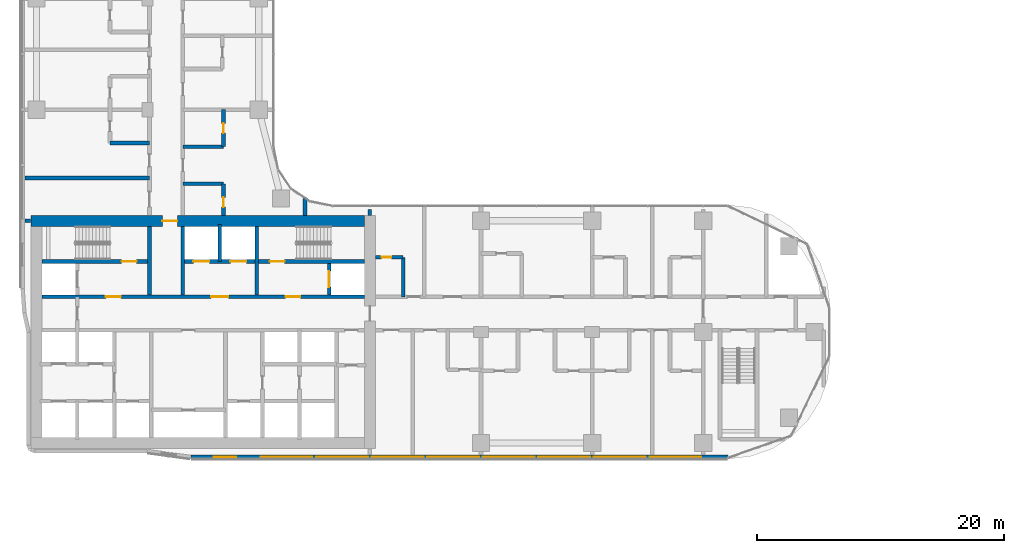
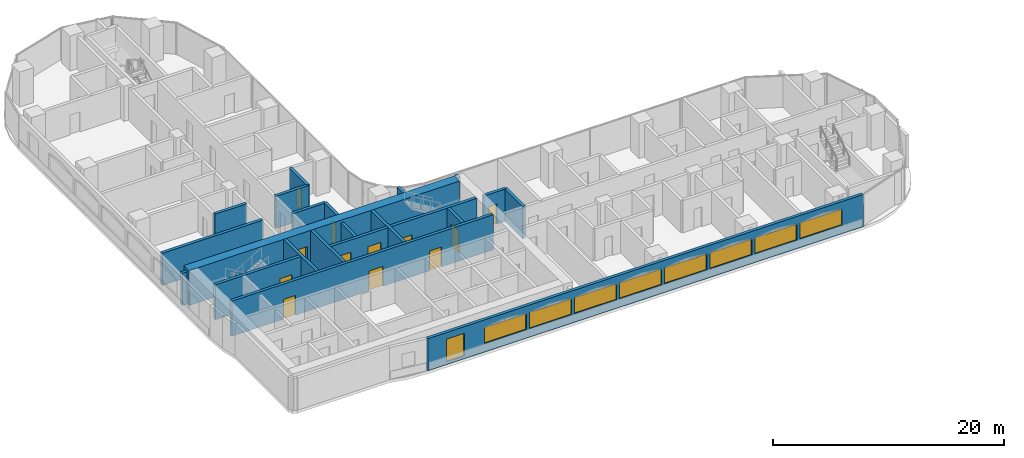
# One storey, part 19 of 36: 21 walls, 12 doors, 9 windows, 21 openings.
"""IFC4 building model written with IfcOpenShell, lengths in metres."""

from ifc_helpers import new_model, si_unit, direction, frame, frame_2d, origin, place, context, subcontext, project, spatial, rectangle, extrude, material, layer, layer_set, type_object, element, fill, save


model = new_model("IFC4")

# Units and contexts
model_context = context("Model", 3, precision=1e-05, world=origin(), true_north=direction((0.0, 1.0)))
body_context = subcontext(model_context, "Body", "Model", "MODEL_VIEW")
ifc_project = project(units=[si_unit("LENGTHUNIT", "METRE"), si_unit("AREAUNIT", "SQUARE_METRE"), si_unit("VOLUMEUNIT", "CUBIC_METRE"), si_unit("PLANEANGLEUNIT", "RADIAN"), si_unit("MASSUNIT", "GRAM", prefix="KILO")], contexts=[model_context])

# Site, building, storey
site_placement = place(None, origin())
site = spatial("IfcSite", under=ifc_project, at=site_placement, CompositionType="ELEMENT")
building_placement = place(site_placement, origin())
building = spatial("IfcBuilding", under=site, at=building_placement, Name="Ogive Portal Towers", CompositionType="ELEMENT")
storey_placement = place(building_placement, frame((0.0, 0.0, 48.300048828125)))
storey = spatial("IfcBuildingStorey", under=building, at=storey_placement, Name="L10", CompositionType="ELEMENT", Elevation=48.300048828125)

# Wall, openings, doors
ifc_material_1 = material(Name="Concrete C60/75", Category="concrete")
ifc_layer_1 = layer(ifc_material_1, 0.300048828125)
ifc_layer_set_1 = layer_set([ifc_layer_1], Name="CORE WALL 300 C60")
wall_type_1 = type_object("IfcWallType", Name="CORE WALL 300 C60", PredefinedType="SHEAR", material=ifc_layer_set_1)
wall_1_placement = place(storey_placement, frame((31.949951171875, 33.35009765625, 0.0), z_axis=(0.0, 0.0, 1.0), x_axis=(1.0, 0.0, 0.0)))
wall_1 = element("IfcWall", 1, at=wall_1_placement, inside=storey, type_object=wall_type_1, Name="Core wall Y2 L10", PredefinedType="SHEAR", context=body_context, shape_type="SweptSolid", body=[
    extrude(rectangle(XDim=26.10009765625, YDim=0.300048828125, at=frame_2d((13.050048828125, 0.0))), origin(), (0.0, 0.0, 1.0), 3.699951171875),
])
opening_1_placement = place(wall_1_placement, frame((13.699951171875, 0.0, 0.0)))
opening_1 = element("IfcOpeningElement", 2, at=opening_1_placement, cuts=wall_1, Name="Opening D02-002", PredefinedType="OPENING", context=body_context, shape_type="SweptSolid", body=[
    extrude(rectangle(XDim=1.39990234375, YDim=2.10009765625, at=frame_2d((0.699951171875, 1.050048828125))), frame((0.0, 0.16015625, 0.0), z_axis=(0.0, -1.0, 0.0), x_axis=(1.0, 0.0, 0.0)), (0.0, 0.0, 1.0), 0.320068359375),
])
opening_2_placement = place(wall_1_placement, frame((5.175048828125, 0.0, 0.0)))
opening_2 = element("IfcOpeningElement", 3, at=opening_2_placement, cuts=wall_1, Name="Opening D02-003", PredefinedType="OPENING", context=body_context, shape_type="SweptSolid", body=[
    extrude(rectangle(XDim=1.199951171875, YDim=2.10009765625, at=frame_2d((0.60009765625, 1.050048828125))), frame((0.0, 0.16015625, 0.0), z_axis=(0.0, -1.0, 0.0), x_axis=(1.0, 0.0, 0.0)), (0.0, 0.0, 1.0), 0.320068359375),
])
opening_3_placement = place(wall_1_placement, frame((19.72509765625, 0.0, 0.0)))
opening_3 = element("IfcOpeningElement", 4, at=opening_3_placement, cuts=wall_1, Name="Opening D02-004", PredefinedType="OPENING", context=body_context, shape_type="SweptSolid", body=[
    extrude(rectangle(XDim=1.199951171875, YDim=2.10009765625, at=frame_2d((0.60009765625, 1.050048828125))), frame((0.0, 0.16015625, 0.0), z_axis=(0.0, -1.0, 0.0), x_axis=(1.0, 0.0, 0.0)), (0.0, 0.0, 1.0), 0.320068359375),
])
ifc_material_2 = material(Name="Steel fire door", Category="steel")
door_type_1 = type_object("IfcDoorType", Name="DT-SWING-1200x2100-FD90S", OperationType="SINGLE_SWING_LEFT", PredefinedType="DOOR", material=ifc_material_2)
door_1_placement = place(opening_2_placement, origin())
door_1 = element("IfcDoor", 5, at=door_1_placement, inside=storey, type_object=door_type_1, Name="Door D02-003", OperationType="SINGLE_SWING_LEFT", OverallHeight=2.10009765625, OverallWidth=1.199951171875, PredefinedType="DOOR", context=body_context, shape_type="SweptSolid", body=[
    extrude(rectangle(XDim=1.199951171875, YDim=2.10009765625, at=frame_2d((0.60009765625, 1.050048828125))), frame((0.0, 0.02490234375, 0.0), z_axis=(0.0, -1.0, 0.0), x_axis=(1.0, 0.0, 0.0)), (0.0, 0.0, 1.0), 0.050048828125),
])
fill(opening_2, door_1)
door_2_placement = place(opening_3_placement, origin())
door_2 = element("IfcDoor", 6, at=door_2_placement, inside=storey, type_object=door_type_1, Name="Door D02-004", OperationType="SINGLE_SWING_RIGHT", OverallHeight=2.10009765625, OverallWidth=1.199951171875, PredefinedType="DOOR", context=body_context, shape_type="SweptSolid", body=[
    extrude(rectangle(XDim=1.199951171875, YDim=2.10009765625, at=frame_2d((0.60009765625, 1.050048828125))), frame((0.0, 0.02490234375, 0.0), z_axis=(0.0, -1.0, 0.0), x_axis=(1.0, 0.0, 0.0)), (0.0, 0.0, 1.0), 0.050048828125),
])
fill(opening_3, door_2)
door_type_2 = type_object("IfcDoorType", Name="DT-SWING-1400x2100-FD90S", OperationType="SINGLE_SWING_LEFT", PredefinedType="DOOR", material=ifc_material_2)
door_3_placement = place(opening_1_placement, origin())
door_3 = element("IfcDoor", 7, at=door_3_placement, inside=storey, type_object=door_type_2, Name="Door D02-002", OperationType="SINGLE_SWING_RIGHT", OverallHeight=2.10009765625, OverallWidth=1.39990234375, PredefinedType="DOOR", context=body_context, shape_type="SweptSolid", body=[
    extrude(rectangle(XDim=1.39990234375, YDim=2.10009765625, at=frame_2d((0.699951171875, 1.050048828125))), frame((0.0, 0.02490234375, 0.0), z_axis=(0.0, -1.0, 0.0), x_axis=(1.0, 0.0, 0.0)), (0.0, 0.0, 1.0), 0.050048828125),
])
fill(opening_1, door_3)

# Wall, opening, door
wall_2_placement = place(storey_placement, frame((31.949951171875, 36.199951171875, 0.0), z_axis=(0.0, 0.0, 1.0), x_axis=(1.0, 0.0, 0.0)))
wall_2 = element("IfcWall", 8, at=wall_2_placement, inside=storey, type_object=wall_type_1, Name="Core wall Y3a L10", PredefinedType="SHEAR", context=body_context, shape_type="SweptSolid", body=[
    extrude(rectangle(XDim=8.550048828125, YDim=0.300048828125, at=frame_2d((4.27490234375, 0.0))), origin(), (0.0, 0.0, 1.0), 3.699951171875),
])
opening_4_placement = place(wall_2_placement, frame((6.449951171875, 0.0, 0.0)))
opening_4 = element("IfcOpeningElement", 9, at=opening_4_placement, cuts=wall_2, Name="Opening D02-005", PredefinedType="OPENING", context=body_context, shape_type="SweptSolid", body=[
    extrude(rectangle(XDim=1.199951171875, YDim=2.10009765625, at=frame_2d((0.60009765625, 1.050048828125))), frame((0.0, 0.16015625, 0.0), z_axis=(0.0, -1.0, 0.0), x_axis=(1.0, 0.0, 0.0)), (0.0, 0.0, 1.0), 0.320068359375),
])
door_4_placement = place(opening_4_placement, origin())
door_4 = element("IfcDoor", 10, at=door_4_placement, inside=storey, type_object=door_type_1, Name="Door D02-005", OperationType="SINGLE_SWING_RIGHT", OverallHeight=2.10009765625, OverallWidth=1.199951171875, PredefinedType="DOOR", context=body_context, shape_type="SweptSolid", body=[
    extrude(rectangle(XDim=1.199951171875, YDim=2.10009765625, at=frame_2d((0.60009765625, 1.050048828125))), frame((0.0, 0.02490234375, 0.0), z_axis=(0.0, -1.0, 0.0), x_axis=(1.0, 0.0, 0.0)), (0.0, 0.0, 1.0), 0.050048828125),
])
fill(opening_4, door_4)

# Wall, openings, doors
wall_3_placement = place(storey_placement, frame((43.5, 36.199951171875, 0.0), z_axis=(0.0, 0.0, 1.0), x_axis=(1.0, 0.0, 0.0)))
wall_3 = element("IfcWall", 11, at=wall_3_placement, inside=storey, type_object=wall_type_1, Name="Core wall Y3b L10", PredefinedType="SHEAR", context=body_context, shape_type="SweptSolid", body=[
    extrude(rectangle(XDim=14.550048828125, YDim=0.300048828125, at=frame_2d((7.27490234375, 0.0))), origin(), (0.0, 0.0, 1.0), 3.699951171875),
])
opening_5_placement = place(wall_3_placement, frame((6.89990234375, 0.0, 0.0)))
opening_5 = element("IfcOpeningElement", 12, at=opening_5_placement, cuts=wall_3, Name="Opening D02-006", PredefinedType="OPENING", context=body_context, shape_type="SweptSolid", body=[
    extrude(rectangle(XDim=1.199951171875, YDim=2.10009765625, at=frame_2d((0.60009765625, 1.050048828125))), frame((0.0, 0.16015625, 0.0), z_axis=(0.0, -1.0, 0.0), x_axis=(1.0, 0.0, 0.0)), (0.0, 0.0, 1.0), 0.320068359375),
])
opening_6_placement = place(wall_3_placement, frame((0.699951171875, 0.0, 0.0)))
opening_6 = element("IfcOpeningElement", 13, at=opening_6_placement, cuts=wall_3, Name="Opening D02-017", PredefinedType="OPENING", context=body_context, shape_type="SweptSolid", body=[
    extrude(rectangle(XDim=1.300048828125, YDim=2.39990234375, at=frame_2d((0.64990234375, 1.199951171875))), frame((0.0, 0.16015625, 0.0), z_axis=(0.0, -1.0, 0.0), x_axis=(1.0, 0.0, 0.0)), (0.0, 0.0, 1.0), 0.320068359375),
])
opening_7_placement = place(wall_3_placement, frame((3.699951171875, 0.0, 0.0)))
opening_7 = element("IfcOpeningElement", 14, at=opening_7_placement, cuts=wall_3, Name="Opening D02-018", PredefinedType="OPENING", context=body_context, shape_type="SweptSolid", body=[
    extrude(rectangle(XDim=1.300048828125, YDim=2.39990234375, at=frame_2d((0.64990234375, 1.199951171875))), frame((0.0, 0.16015625, 0.0), z_axis=(0.0, -1.0, 0.0), x_axis=(1.0, 0.0, 0.0)), (0.0, 0.0, 1.0), 0.320068359375),
])
ifc_material_3 = material(Name="Stainless steel", Category="steel")
door_type_3 = type_object("IfcDoorType", Name="DT-LD-1300x2400", OperationType="SLIDING_TO_LEFT", PredefinedType="DOOR", material=ifc_material_3)
door_5_placement = place(opening_6_placement, origin())
door_5 = element("IfcDoor", 15, at=door_5_placement, inside=storey, type_object=door_type_3, Name="Door D02-017", OperationType="SLIDING_TO_LEFT", OverallHeight=2.39990234375, OverallWidth=1.300048828125, PredefinedType="DOOR", context=body_context, shape_type="SweptSolid", body=[
    extrude(rectangle(XDim=1.300048828125, YDim=2.39990234375, at=frame_2d((0.64990234375, 1.199951171875))), frame((0.0, 0.02490234375, 0.0), z_axis=(0.0, -1.0, 0.0), x_axis=(1.0, 0.0, 0.0)), (0.0, 0.0, 1.0), 0.050048828125),
])
fill(opening_6, door_5)
door_6_placement = place(opening_7_placement, origin())
door_6 = element("IfcDoor", 16, at=door_6_placement, inside=storey, type_object=door_type_3, Name="Door D02-018", OperationType="SLIDING_TO_LEFT", OverallHeight=2.39990234375, OverallWidth=1.300048828125, PredefinedType="DOOR", context=body_context, shape_type="SweptSolid", body=[
    extrude(rectangle(XDim=1.300048828125, YDim=2.39990234375, at=frame_2d((0.64990234375, 1.199951171875))), frame((0.0, 0.02490234375, 0.0), z_axis=(0.0, -1.0, 0.0), x_axis=(1.0, 0.0, 0.0)), (0.0, 0.0, 1.0), 0.050048828125),
])
fill(opening_7, door_6)
door_7_placement = place(opening_5_placement, origin())
door_7 = element("IfcDoor", 17, at=door_7_placement, inside=storey, type_object=door_type_1, Name="Door D02-006", OperationType="SINGLE_SWING_LEFT", OverallHeight=2.10009765625, OverallWidth=1.199951171875, PredefinedType="DOOR", context=body_context, shape_type="SweptSolid", body=[
    extrude(rectangle(XDim=1.199951171875, YDim=2.10009765625, at=frame_2d((0.60009765625, 1.050048828125))), frame((0.0, 0.02490234375, 0.0), z_axis=(0.0, -1.0, 0.0), x_axis=(1.0, 0.0, 0.0)), (0.0, 0.0, 1.0), 0.050048828125),
])
fill(opening_5, door_7)

# Walls
for number, where, z_axis, x_axis, name in (
    (18, (40.64990234375, 33.5, 0.0), (0.0, 0.0, 1.0), (0.0, 1.0, 0.0), "Core wall X6 L10"),
    (19, (43.35009765625, 33.5, 0.0), (0.0, 0.0, 1.0), (0.0, 1.0, 0.0), "Core wall X7 L10"),
    (20, (49.35009765625, 33.5, 0.0), (0.0, 0.0, 1.0), (0.0, 1.0, 0.0), "Core wall X9 L10"),
):
    element("IfcWall", number, at=place(storey_placement, frame(where, z_axis=z_axis, x_axis=x_axis)), inside=storey, type_object=wall_type_1, Name=name, PredefinedType="SHEAR", context=body_context, shape_type="SweptSolid", body=[
        extrude(rectangle(XDim=5.550048828125, YDim=0.300048828125, at=frame_2d((2.77490234375, 0.0))), origin(), (0.0, 0.0, 1.0), 3.699951171875),
    ])

# Wall, opening, door
wall_4_placement = place(storey_placement, frame((55.199951171875, 33.5, 0.0), z_axis=(0.0, 0.0, 1.0), x_axis=(0.0, 1.0, 0.0)))
wall_4 = element("IfcWall", 21, at=wall_4_placement, inside=storey, type_object=wall_type_1, Name="Core wall X10 L10", PredefinedType="SHEAR", context=body_context, shape_type="SweptSolid", body=[
    extrude(rectangle(XDim=2.550048828125, YDim=0.300048828125, at=frame_2d((1.27490234375, 0.0))), origin(), (0.0, 0.0, 1.0), 3.699951171875),
])
opening_8_placement = place(wall_4_placement, frame((0.625, 0.0, 0.0)))
opening_8 = element("IfcOpeningElement", 22, at=opening_8_placement, cuts=wall_4, Name="Opening D02-020", PredefinedType="OPENING", context=body_context, shape_type="SweptSolid", body=[
    extrude(rectangle(XDim=1.300048828125, YDim=2.39990234375, at=frame_2d((0.64990234375, 1.199951171875))), frame((0.0, 0.16015625, 0.0), z_axis=(0.0, -1.0, 0.0), x_axis=(1.0, 0.0, 0.0)), (0.0, 0.0, 1.0), 0.320068359375),
])
door_8_placement = place(opening_8_placement, origin())
door_8 = element("IfcDoor", 23, at=door_8_placement, inside=storey, type_object=door_type_3, Name="Door D02-020", OperationType="SLIDING_TO_LEFT", OverallHeight=2.39990234375, OverallWidth=1.300048828125, PredefinedType="DOOR", context=body_context, shape_type="SweptSolid", body=[
    extrude(rectangle(XDim=1.300048828125, YDim=2.39990234375, at=frame_2d((0.64990234375, 1.199951171875))), frame((0.0, 0.02490234375, 0.0), z_axis=(0.0, -1.0, 0.0), x_axis=(1.0, 0.0, 0.0)), (0.0, 0.0, 1.0), 0.050048828125),
])
fill(opening_8, door_8)

ifc_layer_2 = layer(ifc_material_1, 0.89990234375)
ifc_layer_set_2 = layer_set([ifc_layer_2], Name="CORE WALL 900 C60")
wall_type_2 = type_object("IfcWallType", Name="CORE WALL 900 C60", PredefinedType="SHEAR", material=ifc_layer_set_2)
wall_5_placement = place(storey_placement, frame((31.050048828125, 39.5, 0.0), z_axis=(0.0, 0.0, 1.0), x_axis=(1.0, 0.0, 0.0)))
wall_5 = element("IfcWall", 24, at=wall_5_placement, inside=storey, type_object=wall_type_2, Name="Core wall N L10", PredefinedType="SHEAR", context=body_context, shape_type="SweptSolid", body=[
    extrude(rectangle(XDim=27.0, YDim=0.89990234375, at=frame_2d((13.5, 0.0))), origin(), (0.0, 0.0, 1.0), 3.699951171875),
])
opening_9_placement = place(wall_5_placement, frame((10.64990234375, 0.0, 0.0)))
opening_9 = element("IfcOpeningElement", 25, at=opening_9_placement, cuts=wall_5, Name="Opening D02-012", PredefinedType="OPENING", context=body_context, shape_type="SweptSolid", body=[
    extrude(rectangle(XDim=1.199951171875, YDim=2.10009765625, at=frame_2d((0.60009765625, 1.050048828125))), frame((0.0, 0.4599609375, 0.0), z_axis=(0.0, -1.0, 0.0), x_axis=(1.0, 0.0, 0.0)), (0.0, 0.0, 1.0), 0.919921875),
])
door_9_placement = place(opening_9_placement, origin())
door_9 = element("IfcDoor", 26, at=door_9_placement, inside=storey, type_object=door_type_1, Name="Door D02-012", OperationType="SINGLE_SWING_RIGHT", OverallHeight=2.10009765625, OverallWidth=1.199951171875, PredefinedType="DOOR", context=body_context, shape_type="SweptSolid", body=[
    extrude(rectangle(XDim=1.199951171875, YDim=2.10009765625, at=frame_2d((0.60009765625, 1.050048828125))), frame((0.0, 0.02490234375, 0.0), z_axis=(0.0, -1.0, 0.0), x_axis=(1.0, 0.0, 0.0)), (0.0, 0.0, 1.0), 0.050048828125),
])
fill(opening_9, door_9)

# Wall, openings, windows
ifc_material_4 = material(Name="Limestone cladding on lightweight block wall", Category="masonry")
ifc_layer_3 = layer(ifc_material_4, 0.300048828125)
ifc_layer_set_3 = layer_set([ifc_layer_3], Name="EXTERNAL WALL 300 STONE")
wall_type_3 = type_object("IfcWallType", Name="EXTERNAL WALL 300 STONE", PredefinedType="SOLIDWALL", material=ifc_layer_set_3)
wall_6_placement = place(storey_placement, frame((44.0205078125, 20.364990234375, 0.0), z_axis=(0.0, 0.0, 1.0), x_axis=(1.0, 0.0, 0.0)))
wall_6 = element("IfcWall", 27, at=wall_6_placement, inside=storey, type_object=wall_type_3, Name="A:L10:f05:r0:wall", PredefinedType="SOLIDWALL", context=body_context, shape_type="SweptSolid", body=[
    extrude(rectangle(XDim=43.4658203125, YDim=0.300048828125, at=frame_2d((21.73291015625, 0.0))), origin(), (0.0, 0.0, 1.0), 3.39990234375),
])
opening_10_placement = place(wall_6_placement, frame((1.83984375, 0.0, 0.300048828125)))
opening_10 = element("IfcOpeningElement", 28, at=opening_10_placement, cuts=wall_6, Name="Opening WN10", PredefinedType="OPENING", context=body_context, shape_type="SweptSolid", body=[
    extrude(rectangle(XDim=1.800048828125, YDim=2.39990234375, at=frame_2d((0.89990234375, 1.199951171875))), frame((0.0, 0.16015625, 0.0), z_axis=(0.0, -1.0, 0.0), x_axis=(1.0, 0.0, 0.0)), (0.0, 0.0, 1.0), 0.320068359375),
])
opening_11_placement = place(wall_6_placement, frame((5.629638671875, 0.0, 0.89990234375)))
opening_11 = element("IfcOpeningElement", 29, at=opening_11_placement, cuts=wall_6, Name="Opening WN13", PredefinedType="OPENING", context=body_context, shape_type="SweptSolid", body=[
    extrude(rectangle(XDim=4.199951171875, YDim=1.699951171875, at=frame_2d((2.10009765625, 0.85009765625))), frame((0.0, 0.16015625, 0.0), z_axis=(0.0, -1.0, 0.0), x_axis=(1.0, 0.0, 0.0)), (0.0, 0.0, 1.0), 0.320068359375),
])
opening_12_placement = place(wall_6_placement, frame((10.129638671875, 0.0, 0.89990234375)))
opening_12 = element("IfcOpeningElement", 30, at=opening_12_placement, cuts=wall_6, Name="Opening WN13", PredefinedType="OPENING", context=body_context, shape_type="SweptSolid", body=[
    extrude(rectangle(XDim=4.199951171875, YDim=1.699951171875, at=frame_2d((2.10009765625, 0.85009765625))), frame((0.0, 0.16015625, 0.0), z_axis=(0.0, -1.0, 0.0), x_axis=(1.0, 0.0, 0.0)), (0.0, 0.0, 1.0), 0.320068359375),
])
opening_13_placement = place(wall_6_placement, frame((14.629638671875, 0.0, 0.89990234375)))
opening_13 = element("IfcOpeningElement", 31, at=opening_13_placement, cuts=wall_6, Name="Opening WN13", PredefinedType="OPENING", context=body_context, shape_type="SweptSolid", body=[
    extrude(rectangle(XDim=4.199951171875, YDim=1.699951171875, at=frame_2d((2.10009765625, 0.85009765625))), frame((0.0, 0.16015625, 0.0), z_axis=(0.0, -1.0, 0.0), x_axis=(1.0, 0.0, 0.0)), (0.0, 0.0, 1.0), 0.320068359375),
])
opening_14_placement = place(wall_6_placement, frame((19.129638671875, 0.0, 0.89990234375)))
opening_14 = element("IfcOpeningElement", 32, at=opening_14_placement, cuts=wall_6, Name="Opening WN13", PredefinedType="OPENING", context=body_context, shape_type="SweptSolid", body=[
    extrude(rectangle(XDim=4.199951171875, YDim=1.699951171875, at=frame_2d((2.10009765625, 0.85009765625))), frame((0.0, 0.16015625, 0.0), z_axis=(0.0, -1.0, 0.0), x_axis=(1.0, 0.0, 0.0)), (0.0, 0.0, 1.0), 0.320068359375),
])
opening_15_placement = place(wall_6_placement, frame((23.629638671875, 0.0, 0.89990234375)))
opening_15 = element("IfcOpeningElement", 33, at=opening_15_placement, cuts=wall_6, Name="Opening WN13", PredefinedType="OPENING", context=body_context, shape_type="SweptSolid", body=[
    extrude(rectangle(XDim=4.199951171875, YDim=1.699951171875, at=frame_2d((2.10009765625, 0.85009765625))), frame((0.0, 0.16015625, 0.0), z_axis=(0.0, -1.0, 0.0), x_axis=(1.0, 0.0, 0.0)), (0.0, 0.0, 1.0), 0.320068359375),
])
opening_16_placement = place(wall_6_placement, frame((28.129638671875, 0.0, 0.89990234375)))
opening_16 = element("IfcOpeningElement", 34, at=opening_16_placement, cuts=wall_6, Name="Opening WN13", PredefinedType="OPENING", context=body_context, shape_type="SweptSolid", body=[
    extrude(rectangle(XDim=4.199951171875, YDim=1.699951171875, at=frame_2d((2.10009765625, 0.85009765625))), frame((0.0, 0.16015625, 0.0), z_axis=(0.0, -1.0, 0.0), x_axis=(1.0, 0.0, 0.0)), (0.0, 0.0, 1.0), 0.320068359375),
])
opening_17_placement = place(wall_6_placement, frame((32.629638671875, 0.0, 0.89990234375)))
opening_17 = element("IfcOpeningElement", 35, at=opening_17_placement, cuts=wall_6, Name="Opening WN13", PredefinedType="OPENING", context=body_context, shape_type="SweptSolid", body=[
    extrude(rectangle(XDim=4.199951171875, YDim=1.699951171875, at=frame_2d((2.10009765625, 0.85009765625))), frame((0.0, 0.16015625, 0.0), z_axis=(0.0, -1.0, 0.0), x_axis=(1.0, 0.0, 0.0)), (0.0, 0.0, 1.0), 0.320068359375),
])
opening_18_placement = place(wall_6_placement, frame((37.129638671875, 0.0, 0.89990234375)))
opening_18 = element("IfcOpeningElement", 36, at=opening_18_placement, cuts=wall_6, Name="Opening WN13", PredefinedType="OPENING", context=body_context, shape_type="SweptSolid", body=[
    extrude(rectangle(XDim=4.199951171875, YDim=1.699951171875, at=frame_2d((2.10009765625, 0.85009765625))), frame((0.0, 0.16015625, 0.0), z_axis=(0.0, -1.0, 0.0), x_axis=(1.0, 0.0, 0.0)), (0.0, 0.0, 1.0), 0.320068359375),
])
ifc_material_5 = material(Name="Glass, clear low-iron insulated glazing", Category="glass")
window_type_1 = type_object("IfcWindowType", Name="WINDOW RIBBON LANCET 4200x1700", PartitioningType="TRIPLE_PANEL_VERTICAL", PredefinedType="WINDOW", material=ifc_material_5)
window_1_placement = place(opening_11_placement, origin())
window_1 = element("IfcWindow", 37, at=window_1_placement, inside=storey, type_object=window_type_1, Name="A:L10:f05:r0:w1", OverallHeight=1.699951171875, OverallWidth=4.199951171875, PartitioningType="SINGLE_PANEL", PredefinedType="WINDOW", context=body_context, shape_type="SweptSolid", body=[
    extrude(rectangle(XDim=4.199951171875, YDim=1.699951171875, at=frame_2d((2.10009765625, 0.85009765625))), frame((0.0, 0.030029296875, 0.0), z_axis=(0.0, -1.0, 0.0), x_axis=(1.0, 0.0, 0.0)), (0.0, 0.0, 1.0), 0.06005859375),
])
fill(opening_11, window_1)
window_2_placement = place(opening_12_placement, origin())
window_2 = element("IfcWindow", 38, at=window_2_placement, inside=storey, type_object=window_type_1, Name="A:L10:f05:r0:w2", OverallHeight=1.699951171875, OverallWidth=4.199951171875, PartitioningType="SINGLE_PANEL", PredefinedType="WINDOW", context=body_context, shape_type="SweptSolid", body=[
    extrude(rectangle(XDim=4.199951171875, YDim=1.699951171875, at=frame_2d((2.10009765625, 0.85009765625))), frame((0.0, 0.030029296875, 0.0), z_axis=(0.0, -1.0, 0.0), x_axis=(1.0, 0.0, 0.0)), (0.0, 0.0, 1.0), 0.06005859375),
])
fill(opening_12, window_2)
window_3_placement = place(opening_13_placement, origin())
window_3 = element("IfcWindow", 39, at=window_3_placement, inside=storey, type_object=window_type_1, Name="A:L10:f05:r0:w3", OverallHeight=1.699951171875, OverallWidth=4.199951171875, PartitioningType="SINGLE_PANEL", PredefinedType="WINDOW", context=body_context, shape_type="SweptSolid", body=[
    extrude(rectangle(XDim=4.199951171875, YDim=1.699951171875, at=frame_2d((2.10009765625, 0.85009765625))), frame((0.0, 0.030029296875, 0.0), z_axis=(0.0, -1.0, 0.0), x_axis=(1.0, 0.0, 0.0)), (0.0, 0.0, 1.0), 0.06005859375),
])
fill(opening_13, window_3)
window_4_placement = place(opening_14_placement, origin())
window_4 = element("IfcWindow", 40, at=window_4_placement, inside=storey, type_object=window_type_1, Name="A:L10:f05:r0:w4", OverallHeight=1.699951171875, OverallWidth=4.199951171875, PartitioningType="SINGLE_PANEL", PredefinedType="WINDOW", context=body_context, shape_type="SweptSolid", body=[
    extrude(rectangle(XDim=4.199951171875, YDim=1.699951171875, at=frame_2d((2.10009765625, 0.85009765625))), frame((0.0, 0.030029296875, 0.0), z_axis=(0.0, -1.0, 0.0), x_axis=(1.0, 0.0, 0.0)), (0.0, 0.0, 1.0), 0.06005859375),
])
fill(opening_14, window_4)
window_5_placement = place(opening_15_placement, origin())
window_5 = element("IfcWindow", 41, at=window_5_placement, inside=storey, type_object=window_type_1, Name="A:L10:f05:r0:w5", OverallHeight=1.699951171875, OverallWidth=4.199951171875, PartitioningType="SINGLE_PANEL", PredefinedType="WINDOW", context=body_context, shape_type="SweptSolid", body=[
    extrude(rectangle(XDim=4.199951171875, YDim=1.699951171875, at=frame_2d((2.10009765625, 0.85009765625))), frame((0.0, 0.030029296875, 0.0), z_axis=(0.0, -1.0, 0.0), x_axis=(1.0, 0.0, 0.0)), (0.0, 0.0, 1.0), 0.06005859375),
])
fill(opening_15, window_5)
window_6_placement = place(opening_16_placement, origin())
window_6 = element("IfcWindow", 42, at=window_6_placement, inside=storey, type_object=window_type_1, Name="A:L10:f05:r0:w6", OverallHeight=1.699951171875, OverallWidth=4.199951171875, PartitioningType="SINGLE_PANEL", PredefinedType="WINDOW", context=body_context, shape_type="SweptSolid", body=[
    extrude(rectangle(XDim=4.199951171875, YDim=1.699951171875, at=frame_2d((2.10009765625, 0.85009765625))), frame((0.0, 0.030029296875, 0.0), z_axis=(0.0, -1.0, 0.0), x_axis=(1.0, 0.0, 0.0)), (0.0, 0.0, 1.0), 0.06005859375),
])
fill(opening_16, window_6)
window_7_placement = place(opening_17_placement, origin())
window_7 = element("IfcWindow", 43, at=window_7_placement, inside=storey, type_object=window_type_1, Name="A:L10:f05:r0:w7", OverallHeight=1.699951171875, OverallWidth=4.199951171875, PartitioningType="SINGLE_PANEL", PredefinedType="WINDOW", context=body_context, shape_type="SweptSolid", body=[
    extrude(rectangle(XDim=4.199951171875, YDim=1.699951171875, at=frame_2d((2.10009765625, 0.85009765625))), frame((0.0, 0.030029296875, 0.0), z_axis=(0.0, -1.0, 0.0), x_axis=(1.0, 0.0, 0.0)), (0.0, 0.0, 1.0), 0.06005859375),
])
fill(opening_17, window_7)
window_8_placement = place(opening_18_placement, origin())
window_8 = element("IfcWindow", 44, at=window_8_placement, inside=storey, type_object=window_type_1, Name="A:L10:f05:r0:w8", OverallHeight=1.699951171875, OverallWidth=4.199951171875, PartitioningType="SINGLE_PANEL", PredefinedType="WINDOW", context=body_context, shape_type="SweptSolid", body=[
    extrude(rectangle(XDim=4.199951171875, YDim=1.699951171875, at=frame_2d((2.10009765625, 0.85009765625))), frame((0.0, 0.030029296875, 0.0), z_axis=(0.0, -1.0, 0.0), x_axis=(1.0, 0.0, 0.0)), (0.0, 0.0, 1.0), 0.06005859375),
])
fill(opening_18, window_8)
window_type_2 = type_object("IfcWindowType", Name="WINDOW SUITE CORNER 1800x2400", PartitioningType="DOUBLE_PANEL_VERTICAL", PredefinedType="WINDOW", material=ifc_material_5)
window_9_placement = place(opening_10_placement, origin())
window_9 = element("IfcWindow", 45, at=window_9_placement, inside=storey, type_object=window_type_2, Name="A:L10:f05:r0:w0", OverallHeight=2.39990234375, OverallWidth=1.800048828125, PartitioningType="SINGLE_PANEL", PredefinedType="WINDOW", context=body_context, shape_type="SweptSolid", body=[
    extrude(rectangle(XDim=1.800048828125, YDim=2.39990234375, at=frame_2d((0.89990234375, 1.199951171875))), frame((0.0, 0.030029296875, 0.0), z_axis=(0.0, -1.0, 0.0), x_axis=(1.0, 0.0, 0.0)), (0.0, 0.0, 1.0), 0.06005859375),
])
fill(opening_10, window_9)

# Wall, opening, door
ifc_material_6 = material(Name="Gypsum board partition on steel studs", Category="steel")
ifc_layer_4 = layer(ifc_material_6, 0.300048828125)
ifc_layer_set_4 = layer_set([ifc_layer_4], Name="WT-PART-300-EI 60")
wall_type_4 = type_object("IfcWallType", Name="WT-PART-300-EI 60", PredefinedType="PARTITIONING", material=ifc_layer_set_4)
wall_7_placement = place(storey_placement, frame((58.949951171875, 36.550048828125, 0.0), z_axis=(0.0, 0.0, 1.0), x_axis=(1.0, 0.0, 0.0)))
wall_7 = element("IfcWall", 46, at=wall_7_placement, inside=storey, type_object=wall_type_4, Name="Wall L10:w010", PredefinedType="PARTITIONING", context=body_context, shape_type="SweptSolid", body=[
    extrude(rectangle(XDim=2.25, YDim=0.300048828125, at=frame_2d((1.125, 0.0))), origin(), (0.0, 0.0, 1.0), 3.39990234375),
])
opening_19_placement = place(wall_7_placement, frame((0.5, 0.0, 0.0)))
opening_19 = element("IfcOpeningElement", 47, at=opening_19_placement, cuts=wall_7, Name="Opening D02-026", PredefinedType="OPENING", context=body_context, shape_type="SweptSolid", body=[
    extrude(rectangle(XDim=0.800048828125, YDim=2.10009765625, at=frame_2d((0.39990234375, 1.050048828125))), frame((0.0, 0.16015625, 0.0), z_axis=(0.0, -1.0, 0.0), x_axis=(1.0, 0.0, 0.0)), (0.0, 0.0, 1.0), 0.320068359375),
])
door_type_4 = type_object("IfcDoorType", Name="DT-BATH-800x2100-FD60S", OperationType="SINGLE_SWING_LEFT", PredefinedType="DOOR", material=ifc_material_2)
door_10_placement = place(opening_19_placement, origin())
door_10 = element("IfcDoor", 48, at=door_10_placement, inside=storey, type_object=door_type_4, Name="Door D02-026", OperationType="SINGLE_SWING_LEFT", OverallHeight=2.10009765625, OverallWidth=0.800048828125, PredefinedType="DOOR", context=body_context, shape_type="SweptSolid", body=[
    extrude(rectangle(XDim=0.800048828125, YDim=2.10009765625, at=frame_2d((0.39990234375, 1.050048828125))), frame((0.0, 0.02490234375, 0.0), z_axis=(0.0, -1.0, 0.0), x_axis=(1.0, 0.0, 0.0)), (0.0, 0.0, 1.0), 0.050048828125),
])
fill(opening_19, door_10)

# Walls
wall_8_placement = place(storey_placement, frame((30.56494140625, 39.5, 0.0), z_axis=(0.0, 0.0, 1.0), x_axis=(1.0, 0.0, 0.0)))
element("IfcWall", 49, at=wall_8_placement, inside=storey, type_object=wall_type_4, Name="Wall L10:w014", PredefinedType="PARTITIONING", context=body_context, shape_type="SweptSolid", body=[
    extrude(rectangle(XDim=0.465087890625, YDim=0.300048828125, at=frame_2d((0.232421875, 0.0))), origin(), (0.0, 0.0, 1.0), 3.39990234375),
])
wall_9_placement = place(storey_placement, frame((43.35009765625, 42.5, 0.0), z_axis=(0.0, 0.0, 1.0), x_axis=(1.0, 0.0, 0.0)))
element("IfcWall", 50, at=wall_9_placement, inside=storey, type_object=wall_type_4, Name="Wall L10:w015", PredefinedType="PARTITIONING", context=body_context, shape_type="SweptSolid", body=[
    extrude(rectangle(XDim=3.2998046875, YDim=0.300048828125, at=frame_2d((1.64990234375, 0.0))), origin(), (0.0, 0.0, 1.0), 3.39990234375),
])
wall_10_placement = place(storey_placement, frame((30.56494140625, 42.969970703125, 0.0), z_axis=(0.0, 0.0, 1.0), x_axis=(1.0, 0.0, 0.0)))
element("IfcWall", 51, at=wall_10_placement, inside=storey, type_object=wall_type_4, Name="Wall L10:w016", PredefinedType="PARTITIONING", context=body_context, shape_type="SweptSolid", body=[
    extrude(rectangle(XDim=10.0849609375, YDim=0.300048828125, at=frame_2d((5.04248046875, 0.0))), origin(), (0.0, 0.0, 1.0), 3.39990234375),
])
wall_11_placement = place(storey_placement, frame((43.35009765625, 45.5, 0.0), z_axis=(0.0, 0.0, 1.0), x_axis=(1.0, 0.0, 0.0)))
element("IfcWall", 52, at=wall_11_placement, inside=storey, type_object=wall_type_4, Name="Wall L10:w017", PredefinedType="PARTITIONING", context=body_context, shape_type="SweptSolid", body=[
    extrude(rectangle(XDim=3.2998046875, YDim=0.300048828125, at=frame_2d((1.64990234375, 0.0))), origin(), (0.0, 0.0, 1.0), 3.39990234375),
])
wall_12_placement = place(storey_placement, frame((37.449951171875, 45.800048828125, 0.0), z_axis=(0.0, 0.0, 1.0), x_axis=(1.0, 0.0, 0.0)))
element("IfcWall", 53, at=wall_12_placement, inside=storey, type_object=wall_type_4, Name="Wall L10:w018", PredefinedType="PARTITIONING", context=body_context, shape_type="SweptSolid", body=[
    extrude(rectangle(XDim=3.199951171875, YDim=0.300048828125, at=frame_2d((1.60009765625, 0.0))), origin(), (0.0, 0.0, 1.0), 3.39990234375),
])

# Wall, opening, door
wall_13_placement = place(storey_placement, frame((46.64990234375, 39.949951171875, 0.0), z_axis=(0.0, 0.0, 1.0), x_axis=(0.0, 1.0, 0.0)))
wall_13 = element("IfcWall", 54, at=wall_13_placement, inside=storey, type_object=wall_type_4, Name="Wall L10:w042", PredefinedType="PARTITIONING", context=body_context, shape_type="SweptSolid", body=[
    extrude(rectangle(XDim=2.550048828125, YDim=0.300048828125, at=frame_2d((1.27490234375, 0.0))), origin(), (0.0, 0.0, 1.0), 3.39990234375),
])
opening_20_placement = place(wall_13_placement, frame((0.64990234375, 0.0, 0.0)))
opening_20 = element("IfcOpeningElement", 55, at=opening_20_placement, cuts=wall_13, Name="Opening D02-045", PredefinedType="OPENING", context=body_context, shape_type="SweptSolid", body=[
    extrude(rectangle(XDim=0.800048828125, YDim=2.10009765625, at=frame_2d((0.39990234375, 1.050048828125))), frame((0.0, 0.16015625, 0.0), z_axis=(0.0, -1.0, 0.0), x_axis=(1.0, 0.0, 0.0)), (0.0, 0.0, 1.0), 0.320068359375),
])
door_11_placement = place(opening_20_placement, origin())
door_11 = element("IfcDoor", 56, at=door_11_placement, inside=storey, type_object=door_type_4, Name="Door D02-045", OperationType="SINGLE_SWING_RIGHT", OverallHeight=2.10009765625, OverallWidth=0.800048828125, PredefinedType="DOOR", context=body_context, shape_type="SweptSolid", body=[
    extrude(rectangle(XDim=0.800048828125, YDim=2.10009765625, at=frame_2d((0.39990234375, 1.050048828125))), frame((0.0, 0.02490234375, 0.0), z_axis=(0.0, -1.0, 0.0), x_axis=(1.0, 0.0, 0.0)), (0.0, 0.0, 1.0), 0.050048828125),
])
fill(opening_20, door_11)

wall_14_placement = place(storey_placement, frame((46.64990234375, 45.5, 0.0), z_axis=(0.0, 0.0, 1.0), x_axis=(0.0, 1.0, 0.0)))
wall_14 = element("IfcWall", 57, at=wall_14_placement, inside=storey, type_object=wall_type_4, Name="Wall L10:w043", PredefinedType="PARTITIONING", context=body_context, shape_type="SweptSolid", body=[
    extrude(rectangle(XDim=3.0, YDim=0.300048828125, at=frame_2d((1.5, 0.0))), origin(), (0.0, 0.0, 1.0), 3.39990234375),
])
opening_21_placement = place(wall_14_placement, frame((1.10009765625, 0.0, 0.0)))
opening_21 = element("IfcOpeningElement", 58, at=opening_21_placement, cuts=wall_14, Name="Opening D02-046", PredefinedType="OPENING", context=body_context, shape_type="SweptSolid", body=[
    extrude(rectangle(XDim=0.800048828125, YDim=2.10009765625, at=frame_2d((0.39990234375, 1.050048828125))), frame((0.0, 0.16015625, 0.0), z_axis=(0.0, -1.0, 0.0), x_axis=(1.0, 0.0, 0.0)), (0.0, 0.0, 1.0), 0.320068359375),
])
door_12_placement = place(opening_21_placement, origin())
door_12 = element("IfcDoor", 59, at=door_12_placement, inside=storey, type_object=door_type_4, Name="Door D02-046", OperationType="SINGLE_SWING_LEFT", OverallHeight=2.10009765625, OverallWidth=0.800048828125, PredefinedType="DOOR", context=body_context, shape_type="SweptSolid", body=[
    extrude(rectangle(XDim=0.800048828125, YDim=2.10009765625, at=frame_2d((0.39990234375, 1.050048828125))), frame((0.0, 0.02490234375, 0.0), z_axis=(0.0, -1.0, 0.0), x_axis=(1.0, 0.0, 0.0)), (0.0, 0.0, 1.0), 0.050048828125),
])
fill(opening_21, door_12)

# Walls
wall_15_placement = place(storey_placement, frame((53.25, 39.949951171875, 0.0), z_axis=(0.0, 0.0, 1.0), x_axis=(0.0, 1.0, 0.0)))
element("IfcWall", 60, at=wall_15_placement, inside=storey, type_object=wall_type_4, Name="Wall L10:w045", PredefinedType="PARTITIONING", context=body_context, shape_type="SweptSolid", body=[
    extrude(rectangle(XDim=1.361083984375, YDim=0.300048828125, at=frame_2d((0.6806640625, 0.0))), origin(), (0.0, 0.0, 1.0), 3.39990234375),
])
wall_16_placement = place(storey_placement, frame((58.5, 39.949951171875, 0.0), z_axis=(0.0, 0.0, 1.0), x_axis=(0.0, 1.0, 0.0)))
element("IfcWall", 61, at=wall_16_placement, inside=storey, type_object=wall_type_4, Name="Wall L10:w047", PredefinedType="PARTITIONING", context=body_context, shape_type="SweptSolid", body=[
    extrude(rectangle(XDim=0.485107421875, YDim=0.300048828125, at=frame_2d((0.24267578125, 0.0))), origin(), (0.0, 0.0, 1.0), 3.39990234375),
])
wall_17_placement = place(storey_placement, frame((61.199951171875, 33.35009765625, 0.0), z_axis=(0.0, 0.0, 1.0), x_axis=(0.0, 1.0, 0.0)))
element("IfcWall", 62, at=wall_17_placement, inside=storey, type_object=wall_type_4, Name="Wall L10:w048", PredefinedType="PARTITIONING", context=body_context, shape_type="SweptSolid", body=[
    extrude(rectangle(XDim=3.199951171875, YDim=0.300048828125, at=frame_2d((1.60009765625, 0.0))), origin(), (0.0, 0.0, 1.0), 3.39990234375),
])
ifc_material_7 = material(Name="Concrete C40/50", Category="concrete")
ifc_layer_5 = layer(ifc_material_7, 0.300048828125)
ifc_layer_set_5 = layer_set([ifc_layer_5], Name="WT-SHAFT-300")
wall_type_5 = type_object("IfcWallType", Name="WT-SHAFT-300", PredefinedType="SOLIDWALL", material=ifc_layer_set_5)
wall_18_placement = place(storey_placement, frame((46.35009765625, 36.199951171875, 0.0), z_axis=(0.0, 0.0, 1.0), x_axis=(0.0, 1.0, 0.0)))
element("IfcWall", 63, at=wall_18_placement, inside=storey, type_object=wall_type_5, Name="Wall pw:009:L10", PredefinedType="SOLIDWALL", context=body_context, shape_type="SweptSolid", body=[
    extrude(rectangle(XDim=3.0, YDim=0.300048828125, at=frame_2d((1.5, 0.0))), origin(), (0.0, 0.0, 1.0), 3.39990234375),
])

save(model, "model.ifc")
